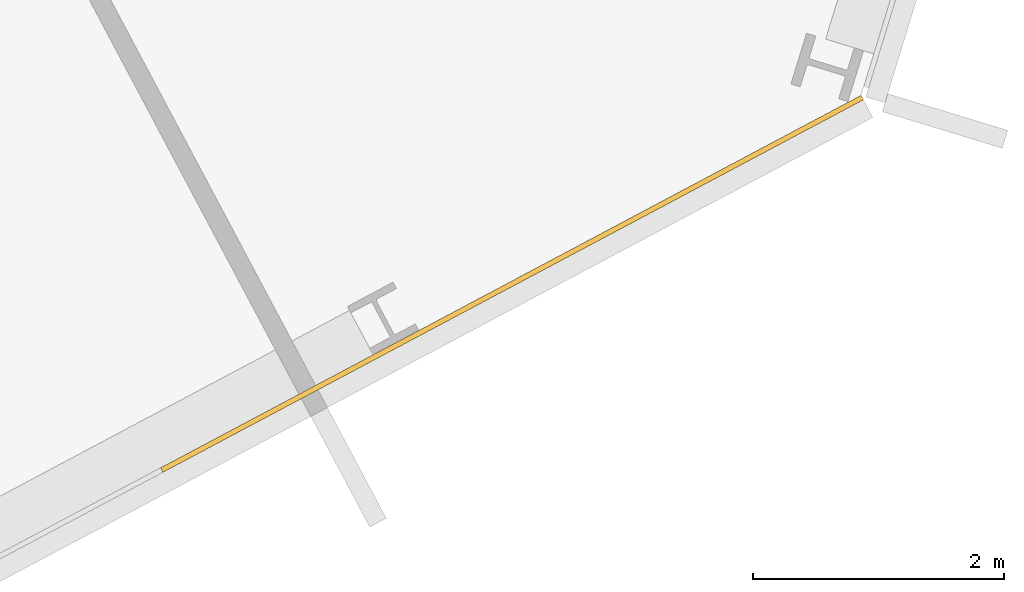
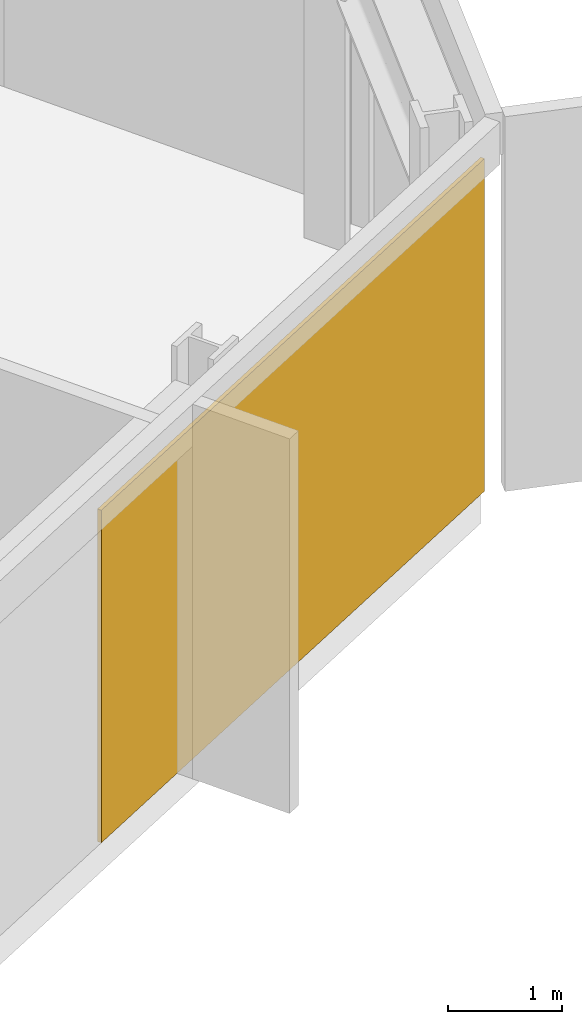
# One storey, part 26 of 28: 1 covering, 1 element without a shape of its own.
"""IFC4 building model written with IfcOpenShell, lengths in metres."""

from ifc_helpers import new_model, si_unit, direction, frame, origin, origin_2d, place, context, subcontext, project, spatial, rectangle, extrude, material, layer, layer_set, type_object, element, aggregate, save


model = new_model("IFC4")

# Units and contexts
model_context = context("Model", 3, precision=1e-05, world=origin(), true_north=direction((0.0, 1.0)))
body_context = subcontext(model_context, "Body", "Model", "MODEL_VIEW")
ifc_project = project(units=[si_unit("LENGTHUNIT", "METRE"), si_unit("AREAUNIT", "SQUARE_METRE"), si_unit("VOLUMEUNIT", "CUBIC_METRE"), si_unit("PLANEANGLEUNIT", "RADIAN"), si_unit("MASSUNIT", "GRAM", prefix="KILO")], contexts=[model_context])

# Site, building, storey
site_placement = place(None, origin())
site = spatial("IfcSite", under=ifc_project, at=site_placement, CompositionType="ELEMENT")
building_placement = place(site_placement, origin())
building = spatial("IfcBuilding", under=site, at=building_placement, Name="Cormorant Relay Tower", CompositionType="ELEMENT")
storey_placement = place(building_placement, frame((0.0, 0.0, 154.199951171875)))
storey = spatial("IfcBuildingStorey", under=building, at=storey_placement, Name="L32", CompositionType="ELEMENT", Elevation=154.199951171875)

# Curtain wall, covering
ifc_material_1 = material(Name="Aluminium 6063-T6 anodised bronze", Category="aluminium")
ifc_layer_1 = layer(ifc_material_1, 0.199951171875)
ifc_layer_set_1 = layer_set([ifc_layer_1], Name="CW1 unitised bronze curtain wall with vertical fins")
curtain_wall_type = type_object("IfcCurtainWallType", Name="CW1 unitised bronze curtain wall with vertical fins", PredefinedType="NOTDEFINED", material=ifc_layer_set_1)
curtain_wall_placement = place(storey_placement, origin())
curtain_wall = element("IfcCurtainWall", 1, at=curtain_wall_placement, inside=storey, type_object=curtain_wall_type, Name="CW1 curtain wall 4", PredefinedType="NOTDEFINED")
ifc_material_2 = material(Name="Pale bronze anodised aluminium insulated panel", Category="aluminium")
ifc_layer_2 = layer(ifc_material_2, 0.0400390625)
ifc_layer_set_2 = layer_set([ifc_layer_2], Name="CW1 pale bronze insulated panel 40")
covering_type = type_object("IfcCoveringType", Name="CW1 pale bronze insulated panel 40", PredefinedType="CLADDING", material=ifc_layer_set_2)
covering_placement = place(storey_placement, frame((52.93310546875, 6.603515625, 0.0), z_axis=(0.0, 0.0, 1.0), x_axis=(0.882947592859, 0.469471562786, 0.0)))
covering = element("IfcCovering", 2, at=covering_placement, type_object=covering_type, Name="CW1 panel S05", PredefinedType="CLADDING", context=body_context, shape_type="SweptSolid", body=[
    extrude(rectangle(XDim=6.324951171875, YDim=0.0400390625, at=origin_2d()), origin(), (0.0, 0.0, 1.0), 3.550048828125),
])
aggregate(curtain_wall, [covering])

save(model, "model.ifc")
